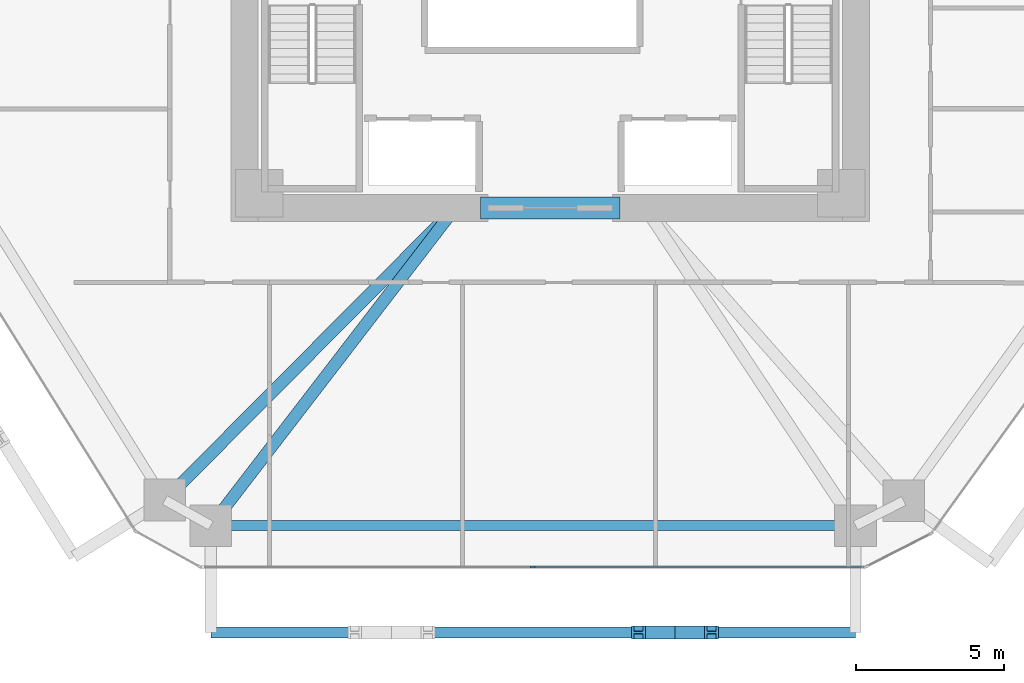
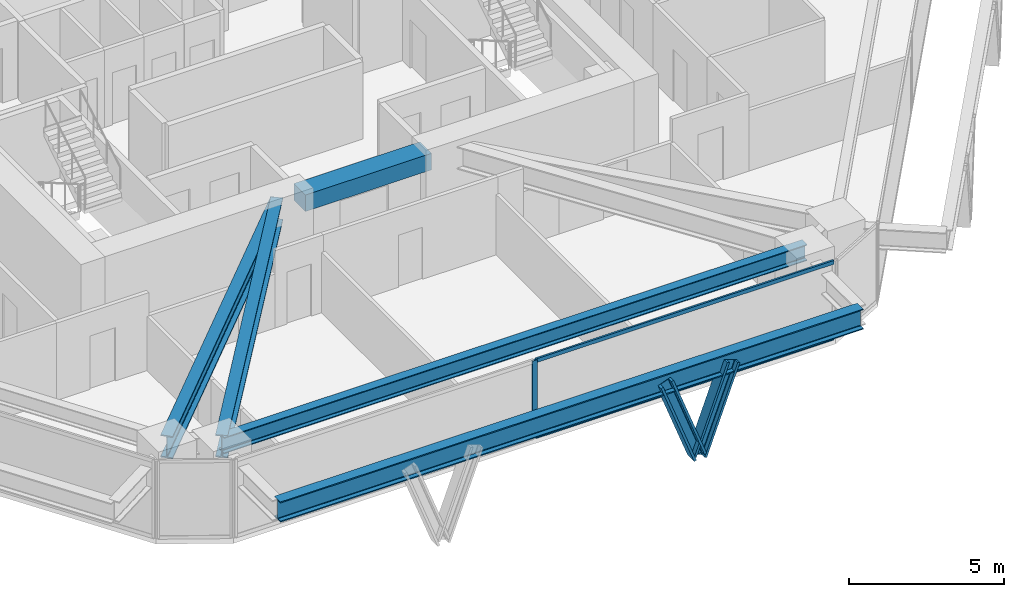
# One storey, part 3 of 15: 5 beams, 5 members, 1 element without a shape of its own.
"""IFC4 building model written with IfcOpenShell, lengths in metres."""

from ifc_helpers import new_model, si_unit, direction, frame, origin, origin_2d, place, context, subcontext, project, spatial, rectangle, i_section, extrude, source, transform, mapped, material, layer, layer_set, material_profile, profile_set, type_object, type_shapes, element, aggregate, save


model = new_model("IFC4")

# Units and contexts
model_context = context("Model", 3, precision=1e-05, world=origin(), true_north=direction((0.0, 1.0)))
body_context = subcontext(model_context, "Body", "Model", "MODEL_VIEW")
ifc_project = project(units=[si_unit("LENGTHUNIT", "METRE"), si_unit("AREAUNIT", "SQUARE_METRE"), si_unit("VOLUMEUNIT", "CUBIC_METRE"), si_unit("PLANEANGLEUNIT", "RADIAN"), si_unit("MASSUNIT", "GRAM", prefix="KILO")], contexts=[model_context])

# Site, building, storey
site_placement = place(None, origin())
site = spatial("IfcSite", under=ifc_project, at=site_placement, CompositionType="ELEMENT")
building_placement = place(site_placement, origin())
building = spatial("IfcBuilding", under=site, at=building_placement, Name="Durnholm Broadcast Tower", CompositionType="ELEMENT")
storey_placement = place(building_placement, frame((0.0, 0.0, 42.300048828125)))
storey = spatial("IfcBuildingStorey", under=building, at=storey_placement, Name="L09", CompositionType="ELEMENT", Elevation=42.300048828125)

# Beams
ifc_material_1 = material(Name="Concrete C70/85", Category="concrete")
ifc_material_profile_1 = material_profile(ifc_material_1, rectangle(XDim=0.75, YDim=0.64990234375, at=origin_2d()), Name="RC750X650")
ifc_profile_set_1 = profile_set([ifc_material_profile_1], Name="Concrete C70/85")
beam_type_1 = type_object("IfcBeamType", Name="BM-CB-RC650", PredefinedType="LINTEL", material=ifc_profile_set_1)
shared_shape_1 = source(origin(), body_context, "Body", "SweptSolid", [
    extrude(rectangle(XDim=0.75, YDim=0.64990234375, at=origin_2d()), origin(), (0.0, 0.0, 1.0), 4.7001953125),
])
type_shapes(beam_type_1, [shared_shape_1])
beam_1_placement = place(storey_placement, frame((-2.35009765625, -8.300048828125, 2.72998046875), z_axis=(1.0, 0.0, 0.0), x_axis=(0.0, 1.0, 0.0)))
element("IfcBeam", 1, at=beam_1_placement, inside=storey, type_object=beam_type_1, Name="L09 south core coupling lintel beam CB-S", PredefinedType="LINTEL", context=body_context, shape_type="MappedRepresentation", body=[
    mapped(shared_shape_1, transform((0.0, 0.0, 0.0), x_axis=(1.0, 0.0, 0.0), y_axis=(0.0, 1.0, 0.0), z_axis=(0.0, 0.0, 1.0), scale=1.0)),
])
ifc_material_2 = material(Name="Steel ASTM A992 Grade 50", Category="steel")
ifc_material_profile_2 = material_profile(ifc_material_2, i_section(OverallWidth=0.3291015625, OverallDepth=0.635009765625, WebThickness=0.017822265625, FlangeThickness=0.031005859375, FilletRadius=0.02783203125, at=origin_2d()), Name="W24X162")
ifc_profile_set_2 = profile_set([ifc_material_profile_2], Name="Steel ASTM A992 Grade 50")
beam_type_2 = type_object("IfcBeamType", Name="STL-SP-W24X162", PredefinedType="SPANDREL", material=ifc_profile_set_2)
shared_shape_2 = source(origin(), body_context, "Body", "SweptSolid", [
    extrude(i_section(OverallWidth=0.3291015625, OverallDepth=0.635009765625, WebThickness=0.017822265625, FlangeThickness=0.031005859375, FilletRadius=0.02783203125, at=origin_2d()), origin(), (0.0, 0.0, 1.0), 21.7138671875),
])
type_shapes(beam_type_2, [shared_shape_2])
beam_2_placement = place(storey_placement, frame((10.28271484375, -19.0, 2.7275390625), z_axis=(-1.0, 0.0, 0.0), x_axis=(0.0, -1.0, 0.0)))
element("IfcBeam", 2, at=beam_2_placement, inside=storey, type_object=beam_type_2, Name="L09 perimeter spandrel girder 11", PredefinedType="SPANDREL", context=body_context, shape_type="MappedRepresentation", body=[
    mapped(shared_shape_2, transform((0.0, 0.0, 0.0), x_axis=(1.0, 0.0, 0.0), y_axis=(0.0, 1.0, 0.0), z_axis=(0.0, 0.0, 1.0), scale=1.0)),
])
ifc_material_profile_3 = material_profile(ifc_material_2, i_section(OverallWidth=0.404052734375, OverallDepth=0.885009765625, WebThickness=0.0244140625, FlangeThickness=0.0439453125, FilletRadius=0.03564453125, at=origin_2d()), Name="W33X291")
ifc_profile_set_3 = profile_set([ifc_material_profile_3], Name="Steel ASTM A992 Grade 50")
beam_type_3 = type_object("IfcBeamType", Name="STL-GR-W33X291", PredefinedType="USERDEFINED", material=ifc_profile_set_3)
shared_shape_3 = source(origin(), body_context, "Body", "SweptSolid", [
    extrude(i_section(OverallWidth=0.404052734375, OverallDepth=0.885009765625, WebThickness=0.0244140625, FlangeThickness=0.0439453125, FilletRadius=0.03564453125, at=origin_2d()), origin(), (0.0, 0.0, 1.0), 13.874267578125),
])
beam_3_placement = place(storey_placement, frame((-3.199951171875, -8.300048828125, 2.6025390625), z_axis=(-0.705097917174, -0.709109954237, 0.0), x_axis=(0.709109954237, -0.705097917174, 0.0)))
element("IfcBeam", 3, at=beam_3_placement, inside=storey, type_object=beam_type_3, Name="L09 radial primary floor girder 01", ObjectType="GIRDER", PredefinedType="USERDEFINED", context=body_context, shape_type="MappedRepresentation", body=[
    mapped(shared_shape_3, transform((0.0, 0.0, 0.0), x_axis=(1.0, 0.0, 0.0), y_axis=(0.0, 1.0, 0.0), z_axis=(0.0, 0.0, 1.0), scale=1.0)),
])
shared_shape_4 = source(origin(), body_context, "Body", "SweptSolid", [
    extrude(i_section(OverallWidth=0.404052734375, OverallDepth=0.885009765625, WebThickness=0.0244140625, FlangeThickness=0.0439453125, FilletRadius=0.03564453125, at=origin_2d()), origin(), (0.0, 0.0, 1.0), 13.499755859375),
])
type_shapes(beam_type_3, [shared_shape_3, shared_shape_4])
beam_4_placement = place(storey_placement, frame((-3.199951171875, -8.300048828125, 2.6025390625), z_axis=(-0.609732610412, -0.79260718127, 0.0), x_axis=(0.79260718127, -0.609732610412, 0.0)))
element("IfcBeam", 4, at=beam_4_placement, inside=storey, type_object=beam_type_3, Name="L09 radial primary floor girder 12", ObjectType="GIRDER", PredefinedType="USERDEFINED", context=body_context, shape_type="MappedRepresentation", body=[
    mapped(shared_shape_4, transform((0.0, 0.0, 0.0), x_axis=(1.0, 0.0, 0.0), y_axis=(0.0, 1.0, 0.0), z_axis=(0.0, 0.0, 1.0), scale=1.0)),
])
ifc_material_profile_4 = material_profile(ifc_material_2, i_section(OverallWidth=0.385009765625, OverallDepth=0.802978515625, WebThickness=0.023681640625, FlangeThickness=0.0419921875, FilletRadius=0.032958984375, at=origin_2d()), Name="W30X261")
ifc_profile_set_4 = profile_set([ifc_material_profile_4], Name="Steel ASTM A992 Grade 50")
beam_type_4 = type_object("IfcBeamType", Name="BM-EXO-TIE", PredefinedType="USERDEFINED", material=ifc_profile_set_4)
shared_shape_5 = source(origin(), body_context, "Body", "SweptSolid", [
    extrude(i_section(OverallWidth=0.385009765625, OverallDepth=0.802978515625, WebThickness=0.023681640625, FlangeThickness=0.0419921875, FilletRadius=0.032958984375, at=origin_2d()), origin(), (0.0, 0.0, 1.0), 21.7138671875),
])
type_shapes(beam_type_4, [shared_shape_5])
beam_5_placement = place(storey_placement, frame((-11.43115234375, -22.60009765625, 2.30859375), z_axis=(1.0, 0.0, 0.0), x_axis=(0.0, 1.0, 0.0)))
element("IfcBeam", 5, at=beam_5_placement, inside=storey, type_object=beam_type_4, Name="L09 exoskeleton collector spandrel F1", PredefinedType="SPANDREL", context=body_context, shape_type="MappedRepresentation", body=[
    mapped(shared_shape_5, transform((0.0, 0.0, 0.0), x_axis=(1.0, 0.0, 0.0), y_axis=(0.0, 1.0, 0.0), z_axis=(0.0, 0.0, 1.0), scale=1.0)),
])

# Members
ifc_material_3 = material(Name="Steel ASTM A913 Grade 65", Category="steel")
ifc_material_profile_5 = material_profile(ifc_material_3, i_section(OverallWidth=0.43212890625, OverallDepth=0.497802734375, WebThickness=0.0556640625, FlangeThickness=0.0888671875, FilletRadius=0.030517578125, at=origin_2d()), Name="W14X500")
ifc_profile_set_5 = profile_set([ifc_material_profile_5], Name="Steel ASTM A913 Grade 65")
member_type_1 = type_object("IfcMemberType", Name="STL-DG-W14X500", PredefinedType="BRACE", material=ifc_profile_set_5)
shared_shape_6 = source(origin(), body_context, "Body", "SweptSolid", [
    extrude(i_section(OverallWidth=0.43212890625, OverallDepth=0.497802734375, WebThickness=0.0556640625, FlangeThickness=0.0888671875, FilletRadius=0.030517578125, at=origin_2d()), origin(), (0.0, 0.0, 1.0), 3.523193359375),
])
type_shapes(member_type_1, [shared_shape_6])
for number, where, z_axis, x_axis, name in (
    (6, (4.202880859375, -22.60009765625, -0.991455078125), (-0.350219588454, 0.0, 0.936667625075), (0.0, -1.0, 0.0), "L09 stand-off diagrid brace F1.D2.1"),
    (7, (4.202880859375, -22.60009765625, -0.991455078125), (0.350219588454, 0.0, 0.936667625075), (0.0, 1.0, 0.0), "L09 stand-off diagrid brace F1.D2.2"),
):
    element("IfcMember", number, at=place(storey_placement, frame(where, z_axis=z_axis, x_axis=x_axis)), inside=storey, type_object=member_type_1, Name=name, PredefinedType="BRACE", context=body_context, shape_type="MappedRepresentation", body=[
        mapped(shared_shape_6, transform((0.0, 0.0, 0.0), x_axis=(1.0, 0.0, 0.0), y_axis=(0.0, 1.0, 0.0), z_axis=(0.0, 0.0, 1.0), scale=1.0)),
    ])

# Curtain wall, members
ifc_material_4 = material(Name="Aluminium and Solar Control IGU", Category="aluminium")
ifc_layer = layer(ifc_material_4, 0.18994140625)
ifc_layer_set = layer_set([ifc_layer], Name="Aluminium and Solar Control IGU")
curtain_wall_type = type_object("IfcCurtainWallType", Name="CW-SYS-3", PredefinedType="NOTDEFINED", material=ifc_layer_set)
curtain_wall_placement = place(storey_placement, origin())
curtain_wall = element("IfcCurtainWall", 8, at=curtain_wall_placement, inside=storey, type_object=curtain_wall_type, Name="L09 curtain wall CW-Z12-VIS CW-L09-F10", PredefinedType="NOTDEFINED")
ifc_material_5 = material(Name="Aluminium 6063-T6", Category="aluminium")
ifc_material_profile_6 = material_profile(ifc_material_5, rectangle(XDim=0.070068359375, YDim=0.18994140625, at=origin_2d()), Name="CWM70X190")
ifc_profile_set_6 = profile_set([ifc_material_profile_6], Name="Aluminium 6063-T6")
member_type_2 = type_object("IfcMemberType", Name="CW-SYS-3-MUL", PredefinedType="MULLION", material=ifc_profile_set_6)
shared_shape_7 = source(origin(), body_context, "Body", "SweptSolid", [
    extrude(rectangle(XDim=0.070068359375, YDim=0.18994140625, at=origin_2d()), origin(), (0.0, 0.0, 1.0), 3.06005859375),
])
type_shapes(member_type_2, [shared_shape_7])
member_1_placement = place(storey_placement, frame((-0.5869140625, -20.39990234375, 0.0), z_axis=(0.0, 0.0, 1.0), x_axis=(0.0, -1.0, 0.0)))
member_1 = element("IfcMember", 9, at=member_1_placement, type_object=member_type_2, Name="CW-Z12-VIS mullion 2", PredefinedType="MULLION", context=body_context, shape_type="MappedRepresentation", body=[
    mapped(shared_shape_7, transform((0.0, 0.0, 0.0), x_axis=(1.0, 0.0, 0.0), y_axis=(0.0, 1.0, 0.0), z_axis=(0.0, 0.0, 1.0), scale=1.0)),
])
ifc_material_profile_7 = material_profile(ifc_material_5, rectangle(XDim=0.070068359375, YDim=0.14990234375, at=origin_2d()), Name="CWT70X150")
ifc_profile_set_7 = profile_set([ifc_material_profile_7], Name="Aluminium 6063-T6")
member_type_3 = type_object("IfcMemberType", Name="CW-SYS-3-TRN", PredefinedType="USERDEFINED", material=ifc_profile_set_7)
shared_shape_8 = source(origin(), body_context, "Body", "SweptSolid", [
    extrude(rectangle(XDim=0.070068359375, YDim=0.14990234375, at=origin_2d()), origin(), (0.0, 0.0, 1.0), 11.10205078125),
])
type_shapes(member_type_3, [shared_shape_8])
member_2_placement = place(storey_placement, frame((10.55029296875, -20.39990234375, 0.034912109375), z_axis=(-1.0, 0.0, 0.0), x_axis=(0.0, -1.0, 0.0)))
member_2 = element("IfcMember", 10, at=member_2_placement, type_object=member_type_3, Name="CW-Z12-VIS transom 1.1", ObjectType="TRANSOM", PredefinedType="USERDEFINED", context=body_context, shape_type="MappedRepresentation", body=[
    mapped(shared_shape_8, transform((0.0, 0.0, 0.0), x_axis=(1.0, 0.0, 0.0), y_axis=(0.0, 1.0, 0.0), z_axis=(0.0, 0.0, 1.0), scale=1.0)),
])
member_3_placement = place(storey_placement, frame((10.55029296875, -20.39990234375, 3.02490234375), z_axis=(-1.0, 0.0, 0.0), x_axis=(0.0, -1.0, 0.0)))
member_3 = element("IfcMember", 11, at=member_3_placement, type_object=member_type_3, Name="CW-Z12-VIS transom 1.2", ObjectType="TRANSOM", PredefinedType="USERDEFINED", context=body_context, shape_type="MappedRepresentation", body=[
    mapped(shared_shape_8, transform((0.0, 0.0, 0.0), x_axis=(1.0, 0.0, 0.0), y_axis=(0.0, 1.0, 0.0), z_axis=(0.0, 0.0, 1.0), scale=1.0)),
])
aggregate(curtain_wall, [member_1, member_2, member_3])

save(model, "model.ifc")
